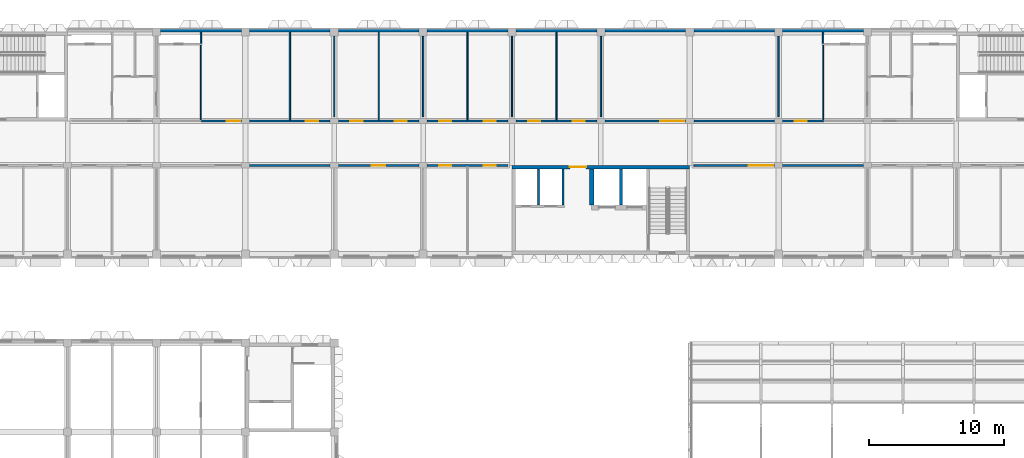
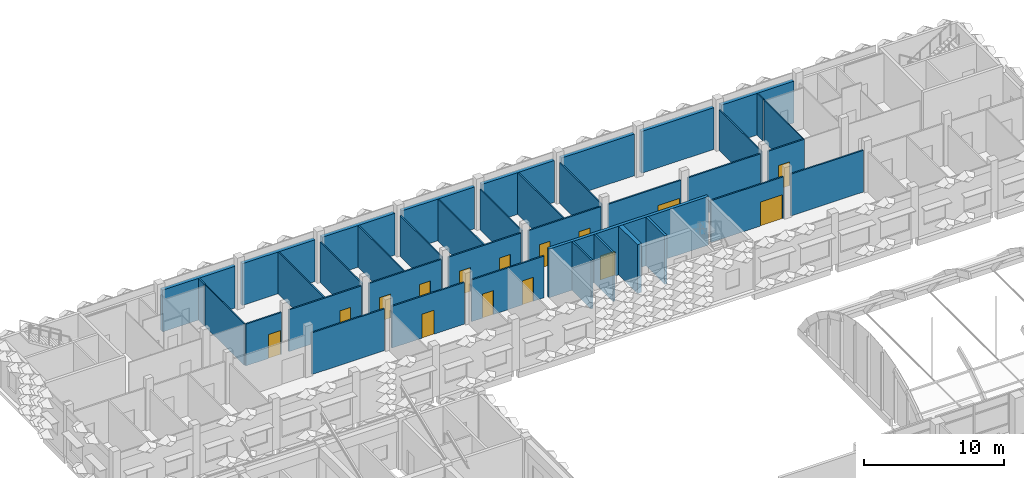
# One storey, part 52 of 102: 39 walls, 15 doors, 15 openings.
"""IFC4 building model written with IfcOpenShell, lengths in metres."""

from ifc_helpers import new_model, si_unit, direction, frame, frame_2d, origin, place, context, subcontext, project, spatial, rectangle, extrude, material, layer, layer_set, type_object, element, fill, save


model = new_model("IFC4")

# Units and contexts
model_context = context("Model", 3, precision=1e-05, world=origin(), true_north=direction((0.0, 1.0)))
body_context = subcontext(model_context, "Body", "Model", "MODEL_VIEW")
ifc_project = project(units=[si_unit("LENGTHUNIT", "METRE"), si_unit("AREAUNIT", "SQUARE_METRE"), si_unit("VOLUMEUNIT", "CUBIC_METRE"), si_unit("PLANEANGLEUNIT", "RADIAN"), si_unit("MASSUNIT", "GRAM", prefix="KILO")], contexts=[model_context])

# Site, building, storey
site_placement = place(None, origin())
site = spatial("IfcSite", under=ifc_project, at=site_placement, CompositionType="ELEMENT")
building_placement = place(site_placement, origin())
building = spatial("IfcBuilding", under=site, at=building_placement, Name="Lantern Court Research Institute", CompositionType="ELEMENT")
storey_placement = place(building_placement, frame((0.0, 0.0, 9.89990234375)))
storey = spatial("IfcBuildingStorey", under=building, at=storey_placement, Name="L02", CompositionType="ELEMENT", Elevation=9.89990234375)

# Walls
ifc_material_1 = material(Name="Gypsum board on metal studs")
ifc_layer_1 = layer(ifc_material_1, 0.10009765625)
ifc_layer_set_1 = layer_set([ifc_layer_1], Name="Gypsum board on metal studs")
wall_type_1 = type_object("IfcWallType", Name="Partition 100 mm", PredefinedType="PARTITIONING", material=ifc_layer_set_1)
wall_1_placement = place(storey_placement, frame((23.10009765625, 92.462890625, 0.0), z_axis=(0.0, 0.0, 1.0), x_axis=(0.0, 1.0, 0.0)))
element("IfcWall", 1, at=wall_1_placement, inside=storey, type_object=wall_type_1, Name="Wall V6-L02-042", PredefinedType="PARTITIONING", context=body_context, shape_type="SweptSolid", body=[
    extrude(rectangle(XDim=6.537109375, YDim=0.10009765625, at=frame_2d((3.2685546875, 0.0))), origin(), (0.0, 0.0, 1.0), 3.650146484375),
])
wall_2_placement = place(storey_placement, frame((26.39990234375, 92.699951171875, 0.0), z_axis=(0.0, 0.0, 1.0), x_axis=(0.0, 1.0, 0.0)))
element("IfcWall", 2, at=wall_2_placement, inside=storey, type_object=wall_type_1, Name="Wall V6-L02-044", PredefinedType="PARTITIONING", context=body_context, shape_type="SweptSolid", body=[
    extrude(rectangle(XDim=6.0, YDim=0.10009765625, at=frame_2d((3.0, 0.0))), origin(), (0.0, 0.0, 1.0), 3.550048828125),
])
wall_3_placement = place(storey_placement, frame((29.699951171875, 92.462890625, 0.0), z_axis=(0.0, 0.0, 1.0), x_axis=(0.0, 1.0, 0.0)))
element("IfcWall", 3, at=wall_3_placement, inside=storey, type_object=wall_type_1, Name="Wall V6-L02-045", PredefinedType="PARTITIONING", context=body_context, shape_type="SweptSolid", body=[
    extrude(rectangle(XDim=6.537109375, YDim=0.10009765625, at=frame_2d((3.2685546875, 0.0))), origin(), (0.0, 0.0, 1.0), 3.650146484375),
])
wall_4_placement = place(storey_placement, frame((33.0, 92.699951171875, 0.0), z_axis=(0.0, 0.0, 1.0), x_axis=(0.0, 1.0, 0.0)))
element("IfcWall", 4, at=wall_4_placement, inside=storey, type_object=wall_type_1, Name="Wall V6-L02-047", PredefinedType="PARTITIONING", context=body_context, shape_type="SweptSolid", body=[
    extrude(rectangle(XDim=6.0, YDim=0.10009765625, at=frame_2d((3.0, 0.0))), origin(), (0.0, 0.0, 1.0), 3.550048828125),
])
wall_5_placement = place(storey_placement, frame((36.300048828125, 92.462890625, 0.0), z_axis=(0.0, 0.0, 1.0), x_axis=(0.0, 1.0, 0.0)))
element("IfcWall", 5, at=wall_5_placement, inside=storey, type_object=wall_type_1, Name="Wall V6-L02-049", PredefinedType="PARTITIONING", context=body_context, shape_type="SweptSolid", body=[
    extrude(rectangle(XDim=6.537109375, YDim=0.10009765625, at=frame_2d((3.2685546875, 0.0))), origin(), (0.0, 0.0, 1.0), 3.650146484375),
])
wall_6_placement = place(storey_placement, frame((39.60009765625, 92.699951171875, 0.0), z_axis=(0.0, 0.0, 1.0), x_axis=(0.0, 1.0, 0.0)))
element("IfcWall", 6, at=wall_6_placement, inside=storey, type_object=wall_type_1, Name="Wall V6-L02-050", PredefinedType="PARTITIONING", context=body_context, shape_type="SweptSolid", body=[
    extrude(rectangle(XDim=6.0, YDim=0.10009765625, at=frame_2d((3.0, 0.0))), origin(), (0.0, 0.0, 1.0), 3.550048828125),
])
wall_7_placement = place(storey_placement, frame((42.89990234375, 92.462890625, 0.0), z_axis=(0.0, 0.0, 1.0), x_axis=(0.0, 1.0, 0.0)))
element("IfcWall", 7, at=wall_7_placement, inside=storey, type_object=wall_type_1, Name="Wall V6-L02-051", PredefinedType="PARTITIONING", context=body_context, shape_type="SweptSolid", body=[
    extrude(rectangle(XDim=6.537109375, YDim=0.10009765625, at=frame_2d((3.2685546875, 0.0))), origin(), (0.0, 0.0, 1.0), 3.650146484375),
])
for number, where, z_axis, x_axis, name in (
    (8, (46.199951171875, 92.699951171875, 0.0), (0.0, 0.0, 1.0), (0.0, 1.0, 0.0), "Wall V6-L02-052"),
    (9, (59.39990234375, 92.699951171875, 0.0), (0.0, 0.0, 1.0), (0.0, 1.0, 0.0), "Wall V6-L02-053"),
):
    element("IfcWall", number, at=place(storey_placement, frame(where, z_axis=z_axis, x_axis=x_axis)), inside=storey, type_object=wall_type_1, Name=name, PredefinedType="PARTITIONING", context=body_context, shape_type="SweptSolid", body=[
        extrude(rectangle(XDim=6.0, YDim=0.10009765625, at=frame_2d((3.0, 0.0))), origin(), (0.0, 0.0, 1.0), 3.550048828125),
    ])
ifc_material_2 = material(Name="Concrete C30/37", Category="concrete")
ifc_layer_2 = layer(ifc_material_2, 0.300048828125)
ifc_layer_set_2 = layer_set([ifc_layer_2], Name="Concrete C30/37")
wall_type_2 = type_object("IfcWallType", Name="Party wall 300 concrete EI 120", PredefinedType="STANDARD", material=ifc_layer_set_2)
for number, where, z_axis, x_axis, name in (
    (10, (13.5, 99.14990234375, 0.0), (0.0, 0.0, 1.0), (1.0, 0.0, 0.0), "Exterior wall EW147"),
    (11, (20.10009765625, 99.14990234375, 0.0), (0.0, 0.0, 1.0), (1.0, 0.0, 0.0), "Exterior wall EW148"),
    (12, (26.699951171875, 99.14990234375, 0.0), (0.0, 0.0, 1.0), (1.0, 0.0, 0.0), "Exterior wall EW149"),
    (13, (33.300048828125, 99.14990234375, 0.0), (0.0, 0.0, 1.0), (1.0, 0.0, 0.0), "Exterior wall EW150"),
    (14, (39.89990234375, 99.14990234375, 0.0), (0.0, 0.0, 1.0), (1.0, 0.0, 0.0), "Exterior wall EW151"),
    (15, (46.5, 99.14990234375, 0.0), (0.0, 0.0, 1.0), (1.0, 0.0, 0.0), "Exterior wall EW152"),
    (16, (53.10009765625, 99.14990234375, 0.0), (0.0, 0.0, 1.0), (1.0, 0.0, 0.0), "Exterior wall EW153"),
    (17, (59.699951171875, 99.14990234375, 0.0), (0.0, 0.0, 1.0), (1.0, 0.0, 0.0), "Exterior wall EW154"),
):
    element("IfcWall", number, at=place(storey_placement, frame(where, z_axis=z_axis, x_axis=x_axis)), inside=storey, type_object=wall_type_2, Name=name, PredefinedType="STANDARD", context=body_context, shape_type="SweptSolid", body=[
        extrude(rectangle(XDim=6.0, YDim=0.300048828125, at=frame_2d((3.0, 0.0))), origin(), (0.0, 0.0, 1.0), 3.650146484375),
    ])
ifc_material_3 = material(Name="Gypsum board on metal studs")
ifc_layer_3 = layer(ifc_material_3, 0.125)
ifc_layer_set_3 = layer_set([ifc_layer_3], Name="Gypsum board on metal studs")
wall_type_3 = type_object("IfcWallType", Name="Protected corridor partition 125 mm EI 30", PredefinedType="PARTITIONING", material=ifc_layer_set_3)
wall_8_placement = place(storey_placement, frame((20.10009765625, 89.10009765625, 0.0), z_axis=(0.0, 0.0, 1.0), x_axis=(1.0, 0.0, 0.0)))
element("IfcWall", 18, at=wall_8_placement, inside=storey, type_object=wall_type_3, Name="Wall V6-L02-004", PredefinedType="PARTITIONING", context=body_context, shape_type="SweptSolid", body=[
    extrude(rectangle(XDim=6.0, YDim=0.125, at=frame_2d((3.0, 0.0))), origin(), (0.0, 0.0, 1.0), 3.650146484375),
])

# Wall, opening, door
wall_9_placement = place(storey_placement, frame((32.699951171875, 89.10009765625, 0.0), z_axis=(0.0, 0.0, 1.0), x_axis=(-1.0, 0.0, 0.0)))
wall_9 = element("IfcWall", 19, at=wall_9_placement, inside=storey, type_object=wall_type_3, Name="Wall V6-L02-005", PredefinedType="PARTITIONING", context=body_context, shape_type="SweptSolid", body=[
    extrude(rectangle(XDim=6.0, YDim=0.125, at=frame_2d((3.0, 0.0))), origin(), (0.0, 0.0, 1.0), 3.650146484375),
])
opening_1_placement = place(wall_9_placement, frame((2.5, 0.0, 0.0)))
opening_1 = element("IfcOpeningElement", 20, at=opening_1_placement, cuts=wall_9, Name="Opening D6206", PredefinedType="OPENING", context=body_context, shape_type="SweptSolid", body=[
    extrude(rectangle(XDim=1.0, YDim=2.10009765625, at=frame_2d((0.5, 1.050048828125))), frame((0.0, 0.072509765625, 0.0), z_axis=(0.0, -1.0, 0.0), x_axis=(1.0, 0.0, 0.0)), (0.0, 0.0, 1.0), 0.14501953125),
])
ifc_material_4 = material(Name="Timber veneered door leaf", Category="wood")
door_type_1 = type_object("IfcDoorType", Name="Door 1000 x 2100 meeting room FD30S", OperationType="NOTDEFINED", PredefinedType="DOOR", material=ifc_material_4)
door_1_placement = place(opening_1_placement, origin())
door_1 = element("IfcDoor", 21, at=door_1_placement, inside=storey, type_object=door_type_1, Name="Door D6206", OperationType="SINGLE_SWING_RIGHT", OverallHeight=2.10009765625, OverallWidth=1.0, PredefinedType="DOOR", context=body_context, shape_type="SweptSolid", body=[
    extrude(rectangle(XDim=1.0, YDim=2.10009765625, at=frame_2d((0.5, 1.050048828125))), frame((0.0, 0.02490234375, 0.0), z_axis=(0.0, -1.0, 0.0), x_axis=(1.0, 0.0, 0.0)), (0.0, 0.0, 1.0), 0.050048828125),
])
fill(opening_1, door_1)

# Wall, openings, doors
wall_10_placement = place(storey_placement, frame((39.300048828125, 89.10009765625, 0.0), z_axis=(0.0, 0.0, 1.0), x_axis=(-1.0, 0.0, 0.0)))
wall_10 = element("IfcWall", 22, at=wall_10_placement, inside=storey, type_object=wall_type_3, Name="Wall V6-L02-006", PredefinedType="PARTITIONING", context=body_context, shape_type="SweptSolid", body=[
    extrude(rectangle(XDim=6.0, YDim=0.125, at=frame_2d((3.0, 0.0))), origin(), (0.0, 0.0, 1.0), 3.650146484375),
])
opening_2_placement = place(wall_10_placement, frame((4.199951171875, 0.0, 0.0)))
opening_2 = element("IfcOpeningElement", 23, at=opening_2_placement, cuts=wall_10, Name="Opening D6207", PredefinedType="OPENING", context=body_context, shape_type="SweptSolid", body=[
    extrude(rectangle(XDim=0.89990234375, YDim=2.10009765625, at=frame_2d((0.449951171875, 1.050048828125))), frame((0.0, 0.072509765625, 0.0), z_axis=(0.0, -1.0, 0.0), x_axis=(1.0, 0.0, 0.0)), (0.0, 0.0, 1.0), 0.14501953125),
])
opening_3_placement = place(wall_10_placement, frame((0.89990234375, 0.0, 0.0)))
opening_3 = element("IfcOpeningElement", 24, at=opening_3_placement, cuts=wall_10, Name="Opening D6208", PredefinedType="OPENING", context=body_context, shape_type="SweptSolid", body=[
    extrude(rectangle(XDim=0.89990234375, YDim=2.10009765625, at=frame_2d((0.449951171875, 1.050048828125))), frame((0.0, 0.072509765625, 0.0), z_axis=(0.0, -1.0, 0.0), x_axis=(1.0, 0.0, 0.0)), (0.0, 0.0, 1.0), 0.14501953125),
])
ifc_material_5 = material(Name="Timber veneered door leaf", Category="wood")
door_type_2 = type_object("IfcDoorType", Name="Door 900 x 2100 timber FD30S", OperationType="NOTDEFINED", PredefinedType="DOOR", material=ifc_material_5)
door_2_placement = place(opening_2_placement, origin())
door_2 = element("IfcDoor", 25, at=door_2_placement, inside=storey, type_object=door_type_2, Name="Door D6207", OperationType="SINGLE_SWING_RIGHT", OverallHeight=2.10009765625, OverallWidth=0.89990234375, PredefinedType="DOOR", context=body_context, shape_type="SweptSolid", body=[
    extrude(rectangle(XDim=0.89990234375, YDim=2.10009765625, at=frame_2d((0.449951171875, 1.050048828125))), frame((0.0, 0.02490234375, 0.0), z_axis=(0.0, -1.0, 0.0), x_axis=(1.0, 0.0, 0.0)), (0.0, 0.0, 1.0), 0.050048828125),
])
fill(opening_2, door_2)
door_3_placement = place(opening_3_placement, origin())
door_3 = element("IfcDoor", 26, at=door_3_placement, inside=storey, type_object=door_type_2, Name="Door D6208", OperationType="SINGLE_SWING_LEFT", OverallHeight=2.10009765625, OverallWidth=0.89990234375, PredefinedType="DOOR", context=body_context, shape_type="SweptSolid", body=[
    extrude(rectangle(XDim=0.89990234375, YDim=2.10009765625, at=frame_2d((0.449951171875, 1.050048828125))), frame((0.0, 0.02490234375, 0.0), z_axis=(0.0, -1.0, 0.0), x_axis=(1.0, 0.0, 0.0)), (0.0, 0.0, 1.0), 0.050048828125),
])
fill(opening_3, door_3)

# Wall, opening, door
wall_11_placement = place(storey_placement, frame((53.10009765625, 89.10009765625, 0.0), z_axis=(0.0, 0.0, 1.0), x_axis=(1.0, 0.0, 0.0)))
wall_11 = element("IfcWall", 27, at=wall_11_placement, inside=storey, type_object=wall_type_3, Name="Wall V6-L02-007", PredefinedType="PARTITIONING", context=body_context, shape_type="SweptSolid", body=[
    extrude(rectangle(XDim=6.0, YDim=0.125, at=frame_2d((3.0, 0.0))), origin(), (0.0, 0.0, 1.0), 3.650146484375),
])
opening_4_placement = place(wall_11_placement, frame((4.10009765625, 0.0, 0.0)))
opening_4 = element("IfcOpeningElement", 28, at=opening_4_placement, cuts=wall_11, Name="Opening D6209", PredefinedType="OPENING", context=body_context, shape_type="SweptSolid", body=[
    extrude(rectangle(XDim=1.800048828125, YDim=2.10009765625, at=frame_2d((0.89990234375, 1.050048828125))), frame((0.0, 0.072509765625, 0.0), z_axis=(0.0, -1.0, 0.0), x_axis=(1.0, 0.0, 0.0)), (0.0, 0.0, 1.0), 0.14501953125),
])
ifc_material_6 = material(Name="Timber veneered door leaf", Category="wood")
door_type_3 = type_object("IfcDoorType", Name="Door 1800 x 2100 reception pair FD30S", OperationType="DOUBLE_DOOR_SINGLE_SWING", PredefinedType="DOOR", material=ifc_material_6)
door_4_placement = place(opening_4_placement, origin())
door_4 = element("IfcDoor", 29, at=door_4_placement, inside=storey, type_object=door_type_3, Name="Door D6209", OperationType="DOUBLE_DOOR_SINGLE_SWING", OverallHeight=2.10009765625, OverallWidth=1.800048828125, PredefinedType="DOOR", context=body_context, shape_type="SweptSolid", body=[
    extrude(rectangle(XDim=1.800048828125, YDim=2.10009765625, at=frame_2d((0.89990234375, 1.050048828125))), frame((0.0, 0.02490234375, 0.0), z_axis=(0.0, -1.0, 0.0), x_axis=(1.0, 0.0, 0.0)), (0.0, 0.0, 1.0), 0.050048828125),
])
fill(opening_4, door_4)

# Wall
wall_12_placement = place(storey_placement, frame((59.699951171875, 89.10009765625, 0.0), z_axis=(0.0, 0.0, 1.0), x_axis=(1.0, 0.0, 0.0)))
element("IfcWall", 30, at=wall_12_placement, inside=storey, type_object=wall_type_3, Name="Wall V6-L02-008", PredefinedType="PARTITIONING", context=body_context, shape_type="SweptSolid", body=[
    extrude(rectangle(XDim=6.0, YDim=0.125, at=frame_2d((3.0, 0.0))), origin(), (0.0, 0.0, 1.0), 3.650146484375),
])

# Wall, opening, door
wall_13_placement = place(storey_placement, frame((16.5380859375, 92.39990234375, 0.0), z_axis=(0.0, 0.0, 1.0), x_axis=(1.0, 0.0, 0.0)))
wall_13 = element("IfcWall", 31, at=wall_13_placement, inside=storey, type_object=wall_type_3, Name="Wall V6-L02-013", PredefinedType="PARTITIONING", context=body_context, shape_type="SweptSolid", body=[
    extrude(rectangle(XDim=2.9619140625, YDim=0.125, at=frame_2d((1.48095703125, 0.0))), origin(), (0.0, 0.0, 1.0), 3.650146484375),
])
opening_5_placement = place(wall_13_placement, frame((1.862060546875, 0.0, 0.0)))
opening_5 = element("IfcOpeningElement", 32, at=opening_5_placement, cuts=wall_13, Name="Opening D6215", PredefinedType="OPENING", context=body_context, shape_type="SweptSolid", body=[
    extrude(rectangle(XDim=1.0, YDim=2.10009765625, at=frame_2d((0.5, 1.050048828125))), frame((0.0, 0.072509765625, 0.0), z_axis=(0.0, -1.0, 0.0), x_axis=(1.0, 0.0, 0.0)), (0.0, 0.0, 1.0), 0.14501953125),
])
door_5_placement = place(opening_5_placement, origin())
door_5 = element("IfcDoor", 33, at=door_5_placement, inside=storey, type_object=door_type_1, Name="Door D6215", OperationType="SINGLE_SWING_LEFT", OverallHeight=2.10009765625, OverallWidth=1.0, PredefinedType="DOOR", context=body_context, shape_type="SweptSolid", body=[
    extrude(rectangle(XDim=1.0, YDim=2.10009765625, at=frame_2d((0.5, 1.050048828125))), frame((0.0, 0.02490234375, 0.0), z_axis=(0.0, -1.0, 0.0), x_axis=(1.0, 0.0, 0.0)), (0.0, 0.0, 1.0), 0.050048828125),
])
fill(opening_5, door_5)

wall_14_placement = place(storey_placement, frame((20.10009765625, 92.39990234375, 0.0), z_axis=(0.0, 0.0, 1.0), x_axis=(1.0, 0.0, 0.0)))
wall_14 = element("IfcWall", 34, at=wall_14_placement, inside=storey, type_object=wall_type_3, Name="Wall V6-L02-014", PredefinedType="PARTITIONING", context=body_context, shape_type="SweptSolid", body=[
    extrude(rectangle(XDim=6.0, YDim=0.125, at=frame_2d((3.0, 0.0))), origin(), (0.0, 0.0, 1.0), 3.650146484375),
])
opening_6_placement = place(wall_14_placement, frame((4.199951171875, 0.0, 0.0)))
opening_6 = element("IfcOpeningElement", 35, at=opening_6_placement, cuts=wall_14, Name="Opening D6216", PredefinedType="OPENING", context=body_context, shape_type="SweptSolid", body=[
    extrude(rectangle(XDim=0.89990234375, YDim=2.10009765625, at=frame_2d((0.449951171875, 1.050048828125))), frame((0.0, 0.072509765625, 0.0), z_axis=(0.0, -1.0, 0.0), x_axis=(1.0, 0.0, 0.0)), (0.0, 0.0, 1.0), 0.14501953125),
])
door_6_placement = place(opening_6_placement, origin())
door_6 = element("IfcDoor", 36, at=door_6_placement, inside=storey, type_object=door_type_2, Name="Door D6216", OperationType="SINGLE_SWING_LEFT", OverallHeight=2.10009765625, OverallWidth=0.89990234375, PredefinedType="DOOR", context=body_context, shape_type="SweptSolid", body=[
    extrude(rectangle(XDim=0.89990234375, YDim=2.10009765625, at=frame_2d((0.449951171875, 1.050048828125))), frame((0.0, 0.02490234375, 0.0), z_axis=(0.0, -1.0, 0.0), x_axis=(1.0, 0.0, 0.0)), (0.0, 0.0, 1.0), 0.050048828125),
])
fill(opening_6, door_6)

# Wall, openings, doors
wall_15_placement = place(storey_placement, frame((26.699951171875, 92.39990234375, 0.0), z_axis=(0.0, 0.0, 1.0), x_axis=(1.0, 0.0, 0.0)))
wall_15 = element("IfcWall", 37, at=wall_15_placement, inside=storey, type_object=wall_type_3, Name="Wall V6-L02-015", PredefinedType="PARTITIONING", context=body_context, shape_type="SweptSolid", body=[
    extrude(rectangle(XDim=6.0, YDim=0.125, at=frame_2d((3.0, 0.0))), origin(), (0.0, 0.0, 1.0), 3.650146484375),
])
opening_7_placement = place(wall_15_placement, frame((0.89990234375, 0.0, 0.0)))
opening_7 = element("IfcOpeningElement", 38, at=opening_7_placement, cuts=wall_15, Name="Opening D6217", PredefinedType="OPENING", context=body_context, shape_type="SweptSolid", body=[
    extrude(rectangle(XDim=0.89990234375, YDim=2.10009765625, at=frame_2d((0.449951171875, 1.050048828125))), frame((0.0, 0.072509765625, 0.0), z_axis=(0.0, -1.0, 0.0), x_axis=(1.0, 0.0, 0.0)), (0.0, 0.0, 1.0), 0.14501953125),
])
opening_8_placement = place(wall_15_placement, frame((4.199951171875, 0.0, 0.0)))
opening_8 = element("IfcOpeningElement", 39, at=opening_8_placement, cuts=wall_15, Name="Opening D6218", PredefinedType="OPENING", context=body_context, shape_type="SweptSolid", body=[
    extrude(rectangle(XDim=0.89990234375, YDim=2.10009765625, at=frame_2d((0.449951171875, 1.050048828125))), frame((0.0, 0.072509765625, 0.0), z_axis=(0.0, -1.0, 0.0), x_axis=(1.0, 0.0, 0.0)), (0.0, 0.0, 1.0), 0.14501953125),
])
door_7_placement = place(opening_7_placement, origin())
door_7 = element("IfcDoor", 40, at=door_7_placement, inside=storey, type_object=door_type_2, Name="Door D6217", OperationType="SINGLE_SWING_RIGHT", OverallHeight=2.10009765625, OverallWidth=0.89990234375, PredefinedType="DOOR", context=body_context, shape_type="SweptSolid", body=[
    extrude(rectangle(XDim=0.89990234375, YDim=2.10009765625, at=frame_2d((0.449951171875, 1.050048828125))), frame((0.0, 0.02490234375, 0.0), z_axis=(0.0, -1.0, 0.0), x_axis=(1.0, 0.0, 0.0)), (0.0, 0.0, 1.0), 0.050048828125),
])
fill(opening_7, door_7)
door_8_placement = place(opening_8_placement, origin())
door_8 = element("IfcDoor", 41, at=door_8_placement, inside=storey, type_object=door_type_2, Name="Door D6218", OperationType="SINGLE_SWING_RIGHT", OverallHeight=2.10009765625, OverallWidth=0.89990234375, PredefinedType="DOOR", context=body_context, shape_type="SweptSolid", body=[
    extrude(rectangle(XDim=0.89990234375, YDim=2.10009765625, at=frame_2d((0.449951171875, 1.050048828125))), frame((0.0, 0.02490234375, 0.0), z_axis=(0.0, -1.0, 0.0), x_axis=(1.0, 0.0, 0.0)), (0.0, 0.0, 1.0), 0.050048828125),
])
fill(opening_8, door_8)

wall_16_placement = place(storey_placement, frame((33.300048828125, 92.39990234375, 0.0), z_axis=(0.0, 0.0, 1.0), x_axis=(1.0, 0.0, 0.0)))
wall_16 = element("IfcWall", 42, at=wall_16_placement, inside=storey, type_object=wall_type_3, Name="Wall V6-L02-016", PredefinedType="PARTITIONING", context=body_context, shape_type="SweptSolid", body=[
    extrude(rectangle(XDim=6.0, YDim=0.125, at=frame_2d((3.0, 0.0))), origin(), (0.0, 0.0, 1.0), 3.650146484375),
])
opening_9_placement = place(wall_16_placement, frame((0.89990234375, 0.0, 0.0)))
opening_9 = element("IfcOpeningElement", 43, at=opening_9_placement, cuts=wall_16, Name="Opening D6219", PredefinedType="OPENING", context=body_context, shape_type="SweptSolid", body=[
    extrude(rectangle(XDim=0.89990234375, YDim=2.10009765625, at=frame_2d((0.449951171875, 1.050048828125))), frame((0.0, 0.072509765625, 0.0), z_axis=(0.0, -1.0, 0.0), x_axis=(1.0, 0.0, 0.0)), (0.0, 0.0, 1.0), 0.14501953125),
])
opening_10_placement = place(wall_16_placement, frame((4.199951171875, 0.0, 0.0)))
opening_10 = element("IfcOpeningElement", 44, at=opening_10_placement, cuts=wall_16, Name="Opening D6220", PredefinedType="OPENING", context=body_context, shape_type="SweptSolid", body=[
    extrude(rectangle(XDim=0.89990234375, YDim=2.10009765625, at=frame_2d((0.449951171875, 1.050048828125))), frame((0.0, 0.072509765625, 0.0), z_axis=(0.0, -1.0, 0.0), x_axis=(1.0, 0.0, 0.0)), (0.0, 0.0, 1.0), 0.14501953125),
])
door_9_placement = place(opening_9_placement, origin())
door_9 = element("IfcDoor", 45, at=door_9_placement, inside=storey, type_object=door_type_2, Name="Door D6219", OperationType="SINGLE_SWING_LEFT", OverallHeight=2.10009765625, OverallWidth=0.89990234375, PredefinedType="DOOR", context=body_context, shape_type="SweptSolid", body=[
    extrude(rectangle(XDim=0.89990234375, YDim=2.10009765625, at=frame_2d((0.449951171875, 1.050048828125))), frame((0.0, 0.02490234375, 0.0), z_axis=(0.0, -1.0, 0.0), x_axis=(1.0, 0.0, 0.0)), (0.0, 0.0, 1.0), 0.050048828125),
])
fill(opening_9, door_9)
door_10_placement = place(opening_10_placement, origin())
door_10 = element("IfcDoor", 46, at=door_10_placement, inside=storey, type_object=door_type_2, Name="Door D6220", OperationType="SINGLE_SWING_RIGHT", OverallHeight=2.10009765625, OverallWidth=0.89990234375, PredefinedType="DOOR", context=body_context, shape_type="SweptSolid", body=[
    extrude(rectangle(XDim=0.89990234375, YDim=2.10009765625, at=frame_2d((0.449951171875, 1.050048828125))), frame((0.0, 0.02490234375, 0.0), z_axis=(0.0, -1.0, 0.0), x_axis=(1.0, 0.0, 0.0)), (0.0, 0.0, 1.0), 0.050048828125),
])
fill(opening_10, door_10)

wall_17_placement = place(storey_placement, frame((39.89990234375, 92.39990234375, 0.0), z_axis=(0.0, 0.0, 1.0), x_axis=(1.0, 0.0, 0.0)))
wall_17 = element("IfcWall", 47, at=wall_17_placement, inside=storey, type_object=wall_type_3, Name="Wall V6-L02-017", PredefinedType="PARTITIONING", context=body_context, shape_type="SweptSolid", body=[
    extrude(rectangle(XDim=6.0, YDim=0.125, at=frame_2d((3.0, 0.0))), origin(), (0.0, 0.0, 1.0), 3.650146484375),
])
opening_11_placement = place(wall_17_placement, frame((0.89990234375, 0.0, 0.0)))
opening_11 = element("IfcOpeningElement", 48, at=opening_11_placement, cuts=wall_17, Name="Opening D6221", PredefinedType="OPENING", context=body_context, shape_type="SweptSolid", body=[
    extrude(rectangle(XDim=0.89990234375, YDim=2.10009765625, at=frame_2d((0.449951171875, 1.050048828125))), frame((0.0, 0.072509765625, 0.0), z_axis=(0.0, -1.0, 0.0), x_axis=(1.0, 0.0, 0.0)), (0.0, 0.0, 1.0), 0.14501953125),
])
opening_12_placement = place(wall_17_placement, frame((4.199951171875, 0.0, 0.0)))
opening_12 = element("IfcOpeningElement", 49, at=opening_12_placement, cuts=wall_17, Name="Opening D6222", PredefinedType="OPENING", context=body_context, shape_type="SweptSolid", body=[
    extrude(rectangle(XDim=0.89990234375, YDim=2.10009765625, at=frame_2d((0.449951171875, 1.050048828125))), frame((0.0, 0.072509765625, 0.0), z_axis=(0.0, -1.0, 0.0), x_axis=(1.0, 0.0, 0.0)), (0.0, 0.0, 1.0), 0.14501953125),
])
door_11_placement = place(opening_11_placement, origin())
door_11 = element("IfcDoor", 50, at=door_11_placement, inside=storey, type_object=door_type_2, Name="Door D6221", OperationType="SINGLE_SWING_LEFT", OverallHeight=2.10009765625, OverallWidth=0.89990234375, PredefinedType="DOOR", context=body_context, shape_type="SweptSolid", body=[
    extrude(rectangle(XDim=0.89990234375, YDim=2.10009765625, at=frame_2d((0.449951171875, 1.050048828125))), frame((0.0, 0.02490234375, 0.0), z_axis=(0.0, -1.0, 0.0), x_axis=(1.0, 0.0, 0.0)), (0.0, 0.0, 1.0), 0.050048828125),
])
fill(opening_11, door_11)
door_12_placement = place(opening_12_placement, origin())
door_12 = element("IfcDoor", 51, at=door_12_placement, inside=storey, type_object=door_type_2, Name="Door D6222", OperationType="SINGLE_SWING_LEFT", OverallHeight=2.10009765625, OverallWidth=0.89990234375, PredefinedType="DOOR", context=body_context, shape_type="SweptSolid", body=[
    extrude(rectangle(XDim=0.89990234375, YDim=2.10009765625, at=frame_2d((0.449951171875, 1.050048828125))), frame((0.0, 0.02490234375, 0.0), z_axis=(0.0, -1.0, 0.0), x_axis=(1.0, 0.0, 0.0)), (0.0, 0.0, 1.0), 0.050048828125),
])
fill(opening_12, door_12)

# Wall, opening, door
wall_18_placement = place(storey_placement, frame((52.5, 92.39990234375, 0.0), z_axis=(0.0, 0.0, 1.0), x_axis=(-1.0, 0.0, 0.0)))
wall_18 = element("IfcWall", 52, at=wall_18_placement, inside=storey, type_object=wall_type_3, Name="Wall V6-L02-018", PredefinedType="PARTITIONING", context=body_context, shape_type="SweptSolid", body=[
    extrude(rectangle(XDim=6.0, YDim=0.125, at=frame_2d((3.0, 0.0))), origin(), (0.0, 0.0, 1.0), 3.650146484375),
])
opening_13_placement = place(wall_18_placement, frame((0.10009765625, 0.0, 0.0)))
opening_13 = element("IfcOpeningElement", 53, at=opening_13_placement, cuts=wall_18, Name="Opening D6223", PredefinedType="OPENING", context=body_context, shape_type="SweptSolid", body=[
    extrude(rectangle(XDim=1.800048828125, YDim=2.10009765625, at=frame_2d((0.89990234375, 1.050048828125))), frame((0.0, 0.072509765625, 0.0), z_axis=(0.0, -1.0, 0.0), x_axis=(1.0, 0.0, 0.0)), (0.0, 0.0, 1.0), 0.14501953125),
])
door_13_placement = place(opening_13_placement, origin())
door_13 = element("IfcDoor", 54, at=door_13_placement, inside=storey, type_object=door_type_3, Name="Door D6223", OperationType="DOUBLE_DOOR_SINGLE_SWING", OverallHeight=2.10009765625, OverallWidth=1.800048828125, PredefinedType="DOOR", context=body_context, shape_type="SweptSolid", body=[
    extrude(rectangle(XDim=1.800048828125, YDim=2.10009765625, at=frame_2d((0.89990234375, 1.050048828125))), frame((0.0, 0.02490234375, 0.0), z_axis=(0.0, -1.0, 0.0), x_axis=(1.0, 0.0, 0.0)), (0.0, 0.0, 1.0), 0.050048828125),
])
fill(opening_13, door_13)

# Wall
wall_19_placement = place(storey_placement, frame((53.10009765625, 92.39990234375, 0.0), z_axis=(0.0, 0.0, 1.0), x_axis=(1.0, 0.0, 0.0)))
element("IfcWall", 55, at=wall_19_placement, inside=storey, type_object=wall_type_3, Name="Wall V6-L02-019", PredefinedType="PARTITIONING", context=body_context, shape_type="SweptSolid", body=[
    extrude(rectangle(XDim=6.0, YDim=0.125, at=frame_2d((3.0, 0.0))), origin(), (0.0, 0.0, 1.0), 3.650146484375),
])

# Wall, opening, door
wall_20_placement = place(storey_placement, frame((59.699951171875, 92.39990234375, 0.0), z_axis=(0.0, 0.0, 1.0), x_axis=(1.0, 0.0, 0.0)))
wall_20 = element("IfcWall", 56, at=wall_20_placement, inside=storey, type_object=wall_type_3, Name="Wall V6-L02-020", PredefinedType="PARTITIONING", context=body_context, shape_type="SweptSolid", body=[
    extrude(rectangle(XDim=3.0380859375, YDim=0.125, at=frame_2d((1.51904296875, 0.0))), origin(), (0.0, 0.0, 1.0), 3.650146484375),
])
opening_14_placement = place(wall_20_placement, frame((0.89990234375, 0.0, 0.0)))
opening_14 = element("IfcOpeningElement", 57, at=opening_14_placement, cuts=wall_20, Name="Opening D6224", PredefinedType="OPENING", context=body_context, shape_type="SweptSolid", body=[
    extrude(rectangle(XDim=0.89990234375, YDim=2.10009765625, at=frame_2d((0.449951171875, 1.050048828125))), frame((0.0, 0.072509765625, 0.0), z_axis=(0.0, -1.0, 0.0), x_axis=(1.0, 0.0, 0.0)), (0.0, 0.0, 1.0), 0.14501953125),
])
door_14_placement = place(opening_14_placement, origin())
door_14 = element("IfcDoor", 58, at=door_14_placement, inside=storey, type_object=door_type_2, Name="Door D6224", OperationType="SINGLE_SWING_LEFT", OverallHeight=2.10009765625, OverallWidth=0.89990234375, PredefinedType="DOOR", context=body_context, shape_type="SweptSolid", body=[
    extrude(rectangle(XDim=0.89990234375, YDim=2.10009765625, at=frame_2d((0.449951171875, 1.050048828125))), frame((0.0, 0.02490234375, 0.0), z_axis=(0.0, -1.0, 0.0), x_axis=(1.0, 0.0, 0.0)), (0.0, 0.0, 1.0), 0.050048828125),
])
fill(opening_14, door_14)

ifc_material_7 = material(Name="Concrete C40/50", Category="concrete")
ifc_layer_4 = layer(ifc_material_7, 0.25)
ifc_layer_set_4 = layer_set([ifc_layer_4], Name="Concrete C40/50")
wall_type_4 = type_object("IfcWallType", Name="RC core wall 250", PredefinedType="SHEAR", material=ifc_layer_set_4)
wall_21_placement = place(storey_placement, frame((52.800048828125, 88.97509765625, 0.0), z_axis=(0.0, 0.0, 1.0), x_axis=(-1.0, 0.0, 0.0)))
wall_21 = element("IfcWall", 59, at=wall_21_placement, inside=storey, type_object=wall_type_4, Name="North wall of core WC-M", PredefinedType="SHEAR", context=body_context, shape_type="SweptSolid", body=[
    extrude(rectangle(XDim=13.199951171875, YDim=0.25, at=frame_2d((6.60009765625, 0.0))), origin(), (0.0, 0.0, 1.0), 4.25),
])
opening_15_placement = place(wall_21_placement, frame((7.699951171875, 0.0, 0.0)))
opening_15 = element("IfcOpeningElement", 60, at=opening_15_placement, cuts=wall_21, Name="Opening D7236", PredefinedType="OPENING", context=body_context, shape_type="SweptSolid", body=[
    extrude(rectangle(XDim=1.199951171875, YDim=2.10009765625, at=frame_2d((0.60009765625, 1.050048828125))), frame((0.0, 0.135009765625, 0.0), z_axis=(0.0, -1.0, 0.0), x_axis=(1.0, 0.0, 0.0)), (0.0, 0.0, 1.0), 0.27001953125),
])
ifc_material_8 = material(Name="Steel fire door leaf with smoke seals", Category="steel")
door_type_4 = type_object("IfcDoorType", Name="Door 1200 x 2100 fire rated FD60S", OperationType="NOTDEFINED", PredefinedType="DOOR", material=ifc_material_8)
door_15_placement = place(opening_15_placement, origin())
door_15 = element("IfcDoor", 61, at=door_15_placement, inside=storey, type_object=door_type_4, Name="Lobby door", OperationType="SINGLE_SWING_RIGHT", OverallHeight=2.10009765625, OverallWidth=1.199951171875, PredefinedType="DOOR", context=body_context, shape_type="SweptSolid", body=[
    extrude(rectangle(XDim=1.199951171875, YDim=2.10009765625, at=frame_2d((0.60009765625, 1.050048828125))), frame((0.0, 0.02490234375, 0.0), z_axis=(0.0, -1.0, 0.0), x_axis=(1.0, 0.0, 0.0)), (0.0, 0.0, 1.0), 0.050048828125),
])
fill(opening_15, door_15)

# Walls
ifc_material_9 = material(Name="Concrete C40/50", Category="concrete")
ifc_layer_5 = layer(ifc_material_9, 0.14990234375)
ifc_layer_set_5 = layer_set([ifc_layer_5], Name="Concrete C40/50")
wall_type_5 = type_object("IfcWallType", Name="RC shaft wall 150", PredefinedType="SHEAR", material=ifc_layer_set_5)
for number, where, z_axis, x_axis, name in (
    (62, (43.39990234375, 88.85009765625, 0.0), (0.0, 0.0, 1.0), (0.0, -1.0, 0.0), "Riser wall of core WC-M"),
    (63, (41.574951171875, 88.85009765625, 0.0), (0.0, 0.0, 1.0), (0.0, -1.0, 0.0), "Riser wall of core WC-M"),
):
    element("IfcWall", number, at=place(storey_placement, frame(where, z_axis=z_axis, x_axis=x_axis)), inside=storey, type_object=wall_type_5, Name=name, PredefinedType="SHEAR", context=body_context, shape_type="SweptSolid", body=[
        extrude(rectangle(XDim=2.7001953125, YDim=0.14990234375, at=frame_2d((1.35009765625, 0.0))), origin(), (0.0, 0.0, 1.0), 4.25),
    ])
ifc_material_10 = material(Name="Concrete C40/50", Category="concrete")
ifc_layer_6 = layer(ifc_material_10, 0.199951171875)
ifc_layer_set_6 = layer_set([ifc_layer_6], Name="Concrete C40/50")
wall_type_6 = type_object("IfcWallType", Name="RC shaft wall 200", PredefinedType="SHEAR", material=ifc_layer_set_6)
wall_22_placement = place(storey_placement, frame((47.699951171875, 88.85009765625, 0.0), z_axis=(0.0, 0.0, 1.0), x_axis=(0.0, -1.0, 0.0)))
element("IfcWall", 64, at=wall_22_placement, inside=storey, type_object=wall_type_6, Name="Lift shaft wall of core WC-M", PredefinedType="SHEAR", context=body_context, shape_type="SweptSolid", body=[
    extrude(rectangle(XDim=2.7001953125, YDim=0.199951171875, at=frame_2d((1.35009765625, 0.0))), origin(), (0.0, 0.0, 1.0), 4.25),
])
ifc_material_11 = material(Name="Concrete C40/50", Category="concrete")
ifc_layer_7 = layer(ifc_material_11, 0.35009765625)
ifc_layer_set_7 = layer_set([ifc_layer_7], Name="Concrete C40/50")
wall_type_7 = type_object("IfcWallType", Name="RC shaft wall 350", PredefinedType="SHEAR", material=ifc_layer_set_7)
wall_23_placement = place(storey_placement, frame((45.52490234375, 88.85009765625, 0.0), z_axis=(0.0, 0.0, 1.0), x_axis=(0.0, -1.0, 0.0)))
element("IfcWall", 65, at=wall_23_placement, inside=storey, type_object=wall_type_7, Name="Lift shaft wall of core WC-M", PredefinedType="SHEAR", context=body_context, shape_type="SweptSolid", body=[
    extrude(rectangle(XDim=2.7001953125, YDim=0.35009765625, at=frame_2d((1.35009765625, 0.0))), origin(), (0.0, 0.0, 1.0), 4.25),
])
ifc_material_12 = material(Name="Fire-rated gypsum board on metal studs")
ifc_layer_8 = layer(ifc_material_12, 0.110107421875)
ifc_layer_set_8 = layer_set([ifc_layer_8], Name="Fire-rated gypsum board on metal studs")
wall_type_8 = type_object("IfcWallType", Name="Riser wall 110 mm EI 60", PredefinedType="PARTITIONING", material=ifc_layer_set_8)
for number, where, z_axis, x_axis, name in (
    (66, (16.5, 98.155029296875, 0.0), (0.0, 0.0, 1.0), (0.0, 1.0, 0.0), "Wall V6-L02-041"),
    (67, (62.699951171875, 98.155029296875, 0.0), (0.0, 0.0, 1.0), (0.0, 1.0, 0.0), "Wall V6-L02-055"),
):
    element("IfcWall", number, at=place(storey_placement, frame(where, z_axis=z_axis, x_axis=x_axis)), inside=storey, type_object=wall_type_8, Name=name, PredefinedType="PARTITIONING", context=body_context, shape_type="SweptSolid", body=[
        extrude(rectangle(XDim=0.844970703125, YDim=0.110107421875, at=frame_2d((0.42236328125, 0.0))), origin(), (0.0, 0.0, 1.0), 3.650146484375),
    ])
ifc_material_13 = material(Name="Gypsum board on metal studs")
ifc_layer_9 = layer(ifc_material_13, 0.074951171875)
ifc_layer_set_9 = layer_set([ifc_layer_9], Name="Gypsum board on metal studs")
wall_type_9 = type_object("IfcWallType", Name="Service partition 75 mm", PredefinedType="PARTITIONING", material=ifc_layer_set_9)
for number, where, z_axis, x_axis, name in (
    (68, (16.5, 92.462890625, 0.0), (0.0, 0.0, 1.0), (0.0, 1.0, 0.0), "Wall V6-L02-040"),
    (69, (62.699951171875, 92.462890625, 0.0), (0.0, 0.0, 1.0), (0.0, 1.0, 0.0), "Wall V6-L02-054"),
):
    element("IfcWall", number, at=place(storey_placement, frame(where, z_axis=z_axis, x_axis=x_axis)), inside=storey, type_object=wall_type_9, Name=name, PredefinedType="PARTITIONING", context=body_context, shape_type="SweptSolid", body=[
        extrude(rectangle(XDim=5.58203125, YDim=0.074951171875, at=frame_2d((2.791015625, 0.0))), origin(), (0.0, 0.0, 1.0), 3.650146484375),
    ])

save(model, "model.ifc")
